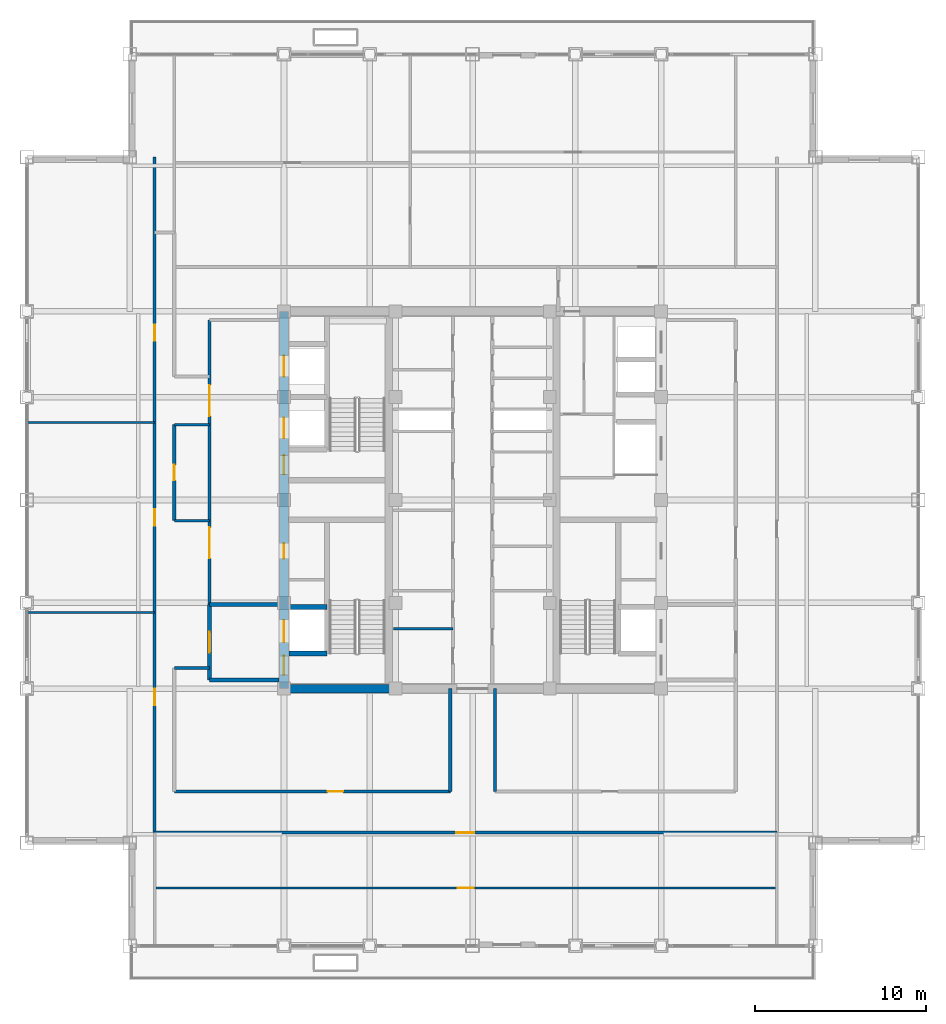
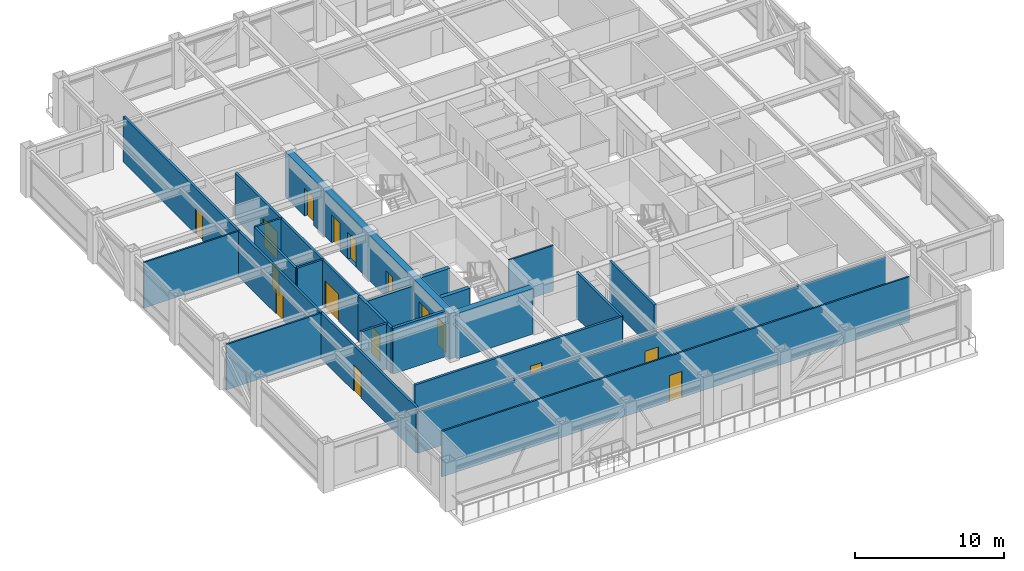
# One storey, part 24 of 30: 21 walls, 16 doors, 16 openings.
"""IFC4 building model written with IfcOpenShell, lengths in metres."""

from ifc_helpers import new_model, si_unit, direction, frame, frame_2d, origin, place, context, subcontext, project, spatial, rectangle, extrude, source, transform, mapped, material, layer, layer_set, type_object, element, fill, save


model = new_model("IFC4")

# Units and contexts
model_context = context("Model", 3, precision=1e-05, world=origin(), true_north=direction((0.0, 1.0)))
body_context = subcontext(model_context, "Body", "Model", "MODEL_VIEW")
ifc_project = project(units=[si_unit("LENGTHUNIT", "METRE"), si_unit("AREAUNIT", "SQUARE_METRE"), si_unit("VOLUMEUNIT", "CUBIC_METRE"), si_unit("PLANEANGLEUNIT", "RADIAN"), si_unit("MASSUNIT", "GRAM", prefix="KILO")], contexts=[model_context])

# Site, building, storey
site_placement = place(None, origin())
site = spatial("IfcSite", under=ifc_project, at=site_placement, CompositionType="ELEMENT")
building_placement = place(site_placement, origin())
building = spatial("IfcBuilding", under=site, at=building_placement, Name="Khorayat Bourse Tower", CompositionType="ELEMENT")
storey_placement = place(building_placement, frame((0.0, 0.0, 326.300048828125)))
storey = spatial("IfcBuildingStorey", under=building, at=storey_placement, Name="L77", CompositionType="ELEMENT", Elevation=326.300048828125)

# Wall, openings, doors
ifc_material_1 = material(Name="Concrete C52/65", Category="concrete")
ifc_layer_1 = layer(ifc_material_1, 0.5)
ifc_layer_set_1 = layer_set([ifc_layer_1], Name="Concrete C52/65")
wall_type_1 = type_object("IfcWallType", Name="WAL-CORE-500", PredefinedType="SHEAR", material=ifc_layer_set_1)
shared_shape_1 = source(origin(), body_context, "Body", "SweptSolid", [
    extrude(rectangle(XDim=22.0, YDim=0.5, at=frame_2d((11.0, 0.0))), origin(), (0.0, 0.0, 1.0), 3.739990234375),
])
wall_1_placement = place(storey_placement, frame((-11.0, -11.0, 0.0), z_axis=(0.0, 0.0, 1.0), x_axis=(0.0, 1.0, 0.0)))
wall_1 = element("IfcWall", 1, at=wall_1_placement, inside=storey, type_object=wall_type_1, Name="L77 Core Shear Wall CORE-W", PredefinedType="SHEAR", context=body_context, shape_type="MappedRepresentation", body=[
    mapped(shared_shape_1, transform((0.0, 0.0, 0.0), scale=1.0)),
])
shared_shape_2 = source(origin(), body_context, "Body", "SweptSolid", [
    extrude(rectangle(XDim=1.10009765625, YDim=2.199951171875, at=frame_2d((0.550048828125, 1.10009765625))), frame((0.0, 0.260009765625, 0.0), z_axis=(0.0, -1.0, 0.0), x_axis=(1.0, 0.0, 0.0)), (0.0, 0.0, 1.0), 0.52001953125),
])
opening_1_placement = place(wall_1_placement, frame((0.800048828125, 0.0, 0.0)))
opening_1 = element("IfcOpeningElement", 2, at=opening_1_placement, cuts=wall_1, Name="Opening DI-01", PredefinedType="OPENING", context=body_context, shape_type="MappedRepresentation", body=[
    mapped(shared_shape_2, transform((0.0, 0.0, 0.0), scale=1.0)),
])
opening_2_placement = place(wall_1_placement, frame((12.5, 0.0, 0.0)))
opening_2 = element("IfcOpeningElement", 3, at=opening_2_placement, cuts=wall_1, Name="Opening DI-01", PredefinedType="OPENING", context=body_context, shape_type="MappedRepresentation", body=[
    mapped(shared_shape_2, transform((0.0, 0.0, 0.0), scale=1.0)),
])
shared_shape_3 = source(origin(), body_context, "Body", "SweptSolid", [
    extrude(rectangle(XDim=0.89990234375, YDim=2.14990234375, at=frame_2d((0.449951171875, 1.074951171875))), frame((0.0, 0.260009765625, 0.0), z_axis=(0.0, -1.0, 0.0), x_axis=(1.0, 0.0, 0.0)), (0.0, 0.0, 1.0), 0.52001953125),
])
opening_3_placement = place(wall_1_placement, frame((7.574951171875, 0.0, 0.0)))
opening_3 = element("IfcOpeningElement", 4, at=opening_3_placement, cuts=wall_1, Name="Opening DI-06", PredefinedType="OPENING", context=body_context, shape_type="MappedRepresentation", body=[
    mapped(shared_shape_3, transform((0.0, 0.0, 0.0), scale=1.0)),
])
shared_shape_4 = source(origin(), body_context, "Body", "SweptSolid", [
    extrude(rectangle(XDim=1.199951171875, YDim=2.300048828125, at=frame_2d((0.60009765625, 1.14990234375))), frame((0.0, 0.260009765625, 0.0), z_axis=(0.0, -1.0, 0.0), x_axis=(1.0, 0.0, 0.0)), (0.0, 0.0, 1.0), 0.52001953125),
])
opening_4_placement = place(wall_1_placement, frame((14.60009765625, 0.0, 0.0)))
opening_4 = element("IfcOpeningElement", 5, at=opening_4_placement, cuts=wall_1, Name="Opening LD-01", PredefinedType="OPENING", context=body_context, shape_type="MappedRepresentation", body=[
    mapped(shared_shape_4, transform((0.0, 0.0, 0.0), scale=1.0)),
])
opening_5_placement = place(wall_1_placement, frame((18.199951171875, 0.0, 0.0)))
opening_5 = element("IfcOpeningElement", 6, at=opening_5_placement, cuts=wall_1, Name="Opening LD-01", PredefinedType="OPENING", context=body_context, shape_type="MappedRepresentation", body=[
    mapped(shared_shape_4, transform((0.0, 0.0, 0.0), scale=1.0)),
])
shared_shape_5 = source(origin(), body_context, "Body", "SweptSolid", [
    extrude(rectangle(XDim=1.300048828125, YDim=2.300048828125, at=frame_2d((0.64990234375, 1.14990234375))), frame((0.0, 0.260009765625, 0.0), z_axis=(0.0, -1.0, 0.0), x_axis=(1.0, 0.0, 0.0)), (0.0, 0.0, 1.0), 0.52001953125),
])
opening_6_placement = place(wall_1_placement, frame((2.699951171875, 0.0, 0.0)))
opening_6 = element("IfcOpeningElement", 7, at=opening_6_placement, cuts=wall_1, Name="Opening LD-02", PredefinedType="OPENING", context=body_context, shape_type="MappedRepresentation", body=[
    mapped(shared_shape_5, transform((0.0, 0.0, 0.0), scale=1.0)),
])
ifc_material_2 = material(Name="Fire-rated steel acoustic leaf", Category="steel")
door_type_1 = type_object("IfcDoorType", Name="DR-INT-STAIR-1100", OperationType="NOTDEFINED", PredefinedType="DOOR", material=ifc_material_2)
shared_shape_6 = source(origin(), body_context, "Body", "SweptSolid", [
    extrude(rectangle(XDim=1.10009765625, YDim=2.199951171875, at=frame_2d((0.550048828125, 1.10009765625))), frame((0.0, 0.02490234375, 0.0), z_axis=(0.0, -1.0, 0.0), x_axis=(1.0, 0.0, 0.0)), (0.0, 0.0, 1.0), 0.050048828125),
])
door_1_placement = place(opening_1_placement, origin())
door_1 = element("IfcDoor", 8, at=door_1_placement, inside=storey, type_object=door_type_1, Name="L77 Exit Stair 1 Door", OperationType="SINGLE_SWING_RIGHT", OverallHeight=2.199951171875, OverallWidth=1.10009765625, PredefinedType="DOOR", context=body_context, shape_type="MappedRepresentation", body=[
    mapped(shared_shape_6, transform((0.0, 0.0, 0.0), scale=1.0)),
])
fill(opening_1, door_1)
door_2_placement = place(opening_2_placement, origin())
door_2 = element("IfcDoor", 9, at=door_2_placement, inside=storey, type_object=door_type_1, Name="L77 Exit Stair 2 Door", OperationType="SINGLE_SWING_RIGHT", OverallHeight=2.199951171875, OverallWidth=1.10009765625, PredefinedType="DOOR", context=body_context, shape_type="MappedRepresentation", body=[
    mapped(shared_shape_6, transform((0.0, 0.0, 0.0), scale=1.0)),
])
fill(opening_2, door_2)
ifc_material_3 = material(Name="Moisture-resistant laminate washroom door")
door_type_2 = type_object("IfcDoorType", Name="DR-INT-WC-900", OperationType="NOTDEFINED", PredefinedType="DOOR", material=ifc_material_3)
shared_shape_7 = source(origin(), body_context, "Body", "SweptSolid", [
    extrude(rectangle(XDim=0.89990234375, YDim=2.14990234375, at=frame_2d((0.449951171875, 1.074951171875))), frame((0.0, 0.02490234375, 0.0), z_axis=(0.0, -1.0, 0.0), x_axis=(1.0, 0.0, 0.0)), (0.0, 0.0, 1.0), 0.050048828125),
])
door_3_placement = place(opening_3_placement, origin())
door_3 = element("IfcDoor", 10, at=door_3_placement, inside=storey, type_object=door_type_2, Name="L77 UPS Switch Plant Room Door", OperationType="SINGLE_SWING_RIGHT", OverallHeight=2.14990234375, OverallWidth=0.89990234375, PredefinedType="DOOR", context=body_context, shape_type="MappedRepresentation", body=[
    mapped(shared_shape_7, transform((0.0, 0.0, 0.0), scale=1.0)),
])
fill(opening_3, door_3)
ifc_material_4 = material(Name="Brushed bronze stainless-steel sliding door", Category="steel")
door_type_3 = type_object("IfcDoorType", Name="DR-LIFT-PASS-1200", OperationType="NOTDEFINED", PredefinedType="DOOR", material=ifc_material_4)
shared_shape_8 = source(origin(), body_context, "Body", "SweptSolid", [
    extrude(rectangle(XDim=1.199951171875, YDim=2.300048828125, at=frame_2d((0.60009765625, 1.14990234375))), frame((0.0, 0.02490234375, 0.0), z_axis=(0.0, -1.0, 0.0), x_axis=(1.0, 0.0, 0.0)), (0.0, 0.0, 1.0), 0.050048828125),
])
door_4_placement = place(opening_4_placement, origin())
door_4 = element("IfcDoor", 11, at=door_4_placement, inside=storey, type_object=door_type_3, Name="L77 Lift PL-H1 Sliding Landing Door", OperationType="SLIDING_TO_LEFT", OverallHeight=2.300048828125, OverallWidth=1.199951171875, PredefinedType="DOOR", context=body_context, shape_type="MappedRepresentation", body=[
    mapped(shared_shape_8, transform((0.0, 0.0, 0.0), scale=1.0)),
])
fill(opening_4, door_4)
door_5_placement = place(opening_5_placement, origin())
door_5 = element("IfcDoor", 12, at=door_5_placement, inside=storey, type_object=door_type_3, Name="L77 Lift PL-H2 Sliding Landing Door", OperationType="SLIDING_TO_LEFT", OverallHeight=2.300048828125, OverallWidth=1.199951171875, PredefinedType="DOOR", context=body_context, shape_type="MappedRepresentation", body=[
    mapped(shared_shape_8, transform((0.0, 0.0, 0.0), scale=1.0)),
])
fill(opening_5, door_5)
ifc_material_5 = material(Name="Fire-rated stainless-steel sliding landing door", Category="steel")
door_type_4 = type_object("IfcDoorType", Name="DR-LIFT-FF-1300", OperationType="NOTDEFINED", PredefinedType="DOOR", material=ifc_material_5)
shared_shape_9 = source(origin(), body_context, "Body", "SweptSolid", [
    extrude(rectangle(XDim=1.300048828125, YDim=2.300048828125, at=frame_2d((0.64990234375, 1.14990234375))), frame((0.0, 0.02490234375, 0.0), z_axis=(0.0, -1.0, 0.0), x_axis=(1.0, 0.0, 0.0)), (0.0, 0.0, 1.0), 0.050048828125),
])
door_6_placement = place(opening_6_placement, origin())
door_6 = element("IfcDoor", 13, at=door_6_placement, inside=storey, type_object=door_type_4, Name="L77 Lift FFL-01 Sliding Landing Door", OperationType="SLIDING_TO_LEFT", OverallHeight=2.300048828125, OverallWidth=1.300048828125, PredefinedType="DOOR", context=body_context, shape_type="MappedRepresentation", body=[
    mapped(shared_shape_9, transform((0.0, 0.0, 0.0), scale=1.0)),
])
fill(opening_6, door_6)

# Walls
shared_shape_10 = source(origin(), body_context, "Body", "SweptSolid", [
    extrude(rectangle(XDim=5.89990234375, YDim=0.5, at=frame_2d((2.949951171875, 0.0))), origin(), (0.0, 0.0, 1.0), 3.739990234375),
])
wall_2_placement = place(storey_placement, frame((-10.75, -11.0, 0.0), z_axis=(0.0, 0.0, 1.0), x_axis=(1.0, 0.0, 0.0)))
element("IfcWall", 14, at=wall_2_placement, inside=storey, type_object=wall_type_1, Name="L77 Core Shear Wall PIER-WS", PredefinedType="SHEAR", context=body_context, shape_type="MappedRepresentation", body=[
    mapped(shared_shape_10, transform((0.0, 0.0, 0.0), scale=1.0)),
])
ifc_material_6 = material(Name="Concrete C50/60", Category="concrete")
ifc_layer_2 = layer(ifc_material_6, 0.300048828125)
ifc_layer_set_2 = layer_set([ifc_layer_2], Name="Concrete C50/60")
wall_type_2 = type_object("IfcWallType", Name="WAL-SHAFT-300", PredefinedType="SHEAR", material=ifc_layer_set_2)
shared_shape_11 = source(origin(), body_context, "Body", "SweptSolid", [
    extrude(rectangle(XDim=2.199951171875, YDim=0.300048828125, at=frame_2d((1.10009765625, 0.0))), origin(), (0.0, 0.0, 1.0), 3.739990234375),
])
for number, where, z_axis, x_axis, name in (
    (15, (-10.699951171875, -8.949951171875, 0.0), (0.0, 0.0, 1.0), (1.0, 0.0, 0.0), "L77 Partition WAL-L77-WPIER-FF1S"),
    (16, (-10.699951171875, -6.25, 0.0), (0.0, 0.0, 1.0), (1.0, 0.0, 0.0), "L77 Partition WAL-L77-WPIER-FF1N"),
):
    element("IfcWall", number, at=place(storey_placement, frame(where, z_axis=z_axis, x_axis=x_axis)), inside=storey, type_object=wall_type_2, Name=name, PredefinedType="SHEAR", context=body_context, shape_type="MappedRepresentation", body=[
        mapped(shared_shape_11, transform((0.0, 0.0, 0.0), scale=1.0)),
    ])
ifc_material_7 = material(Name="Aerated concrete blockwork", Category="masonry")
ifc_layer_3 = layer(ifc_material_7, 0.219970703125)
ifc_layer_set_3 = layer_set([ifc_layer_3], Name="Aerated concrete blockwork")
wall_type_3 = type_object("IfcWallType", Name="WAL-PART-FF-220", PredefinedType="PARTITIONING", material=ifc_layer_set_3)
shared_shape_12 = source(origin(), body_context, "Body", "SweptSolid", [
    extrude(rectangle(XDim=4.050048828125, YDim=0.219970703125, at=frame_2d((2.02490234375, 0.0))), origin(), (0.0, 0.0, 1.0), 3.739990234375),
])
wall_3_placement = place(storey_placement, frame((-15.35009765625, -10.5, 0.0), z_axis=(0.0, 0.0, 1.0), x_axis=(1.0, 0.0, 0.0)))
element("IfcWall", 17, at=wall_3_placement, inside=storey, type_object=wall_type_3, Name="L77 Partition WAL-L77-FFLW-S", PredefinedType="PARTITIONING", context=body_context, shape_type="MappedRepresentation", body=[
    mapped(shared_shape_12, transform((0.0, 0.0, 0.0), scale=1.0)),
])
shared_shape_13 = source(origin(), body_context, "Body", "SweptSolid", [
    extrude(rectangle(XDim=4.050048828125, YDim=0.219970703125, at=frame_2d((2.02490234375, 0.0))), origin(), (0.0, 0.0, 1.0), 3.1240234375),
])
wall_4_placement = place(storey_placement, frame((-15.35009765625, -6.10009765625, 0.0), z_axis=(0.0, 0.0, 1.0), x_axis=(1.0, 0.0, 0.0)))
element("IfcWall", 18, at=wall_4_placement, inside=storey, type_object=wall_type_3, Name="L77 Partition WAL-L77-FFLW-N", PredefinedType="PARTITIONING", context=body_context, shape_type="MappedRepresentation", body=[
    mapped(shared_shape_13, transform((0.0, 0.0, 0.0), scale=1.0)),
])

# Wall, opening, door
shared_shape_14 = source(origin(), body_context, "Body", "SweptSolid", [
    extrude(rectangle(XDim=4.39990234375, YDim=0.219970703125, at=frame_2d((2.199951171875, 0.0))), origin(), (0.0, 0.0, 1.0), 3.739990234375),
])
wall_5_placement = place(storey_placement, frame((-15.35009765625, -10.5, 0.0), z_axis=(0.0, 0.0, 1.0), x_axis=(0.0, 1.0, 0.0)))
wall_5 = element("IfcWall", 19, at=wall_5_placement, inside=storey, type_object=wall_type_3, Name="L77 Partition WAL-L77-FFLW-W", PredefinedType="PARTITIONING", context=body_context, shape_type="MappedRepresentation", body=[
    mapped(shared_shape_14, transform((0.0, 0.0, 0.0), scale=1.0)),
])
shared_shape_15 = source(origin(), body_context, "Body", "SweptSolid", [
    extrude(rectangle(XDim=1.199951171875, YDim=2.199951171875, at=frame_2d((0.60009765625, 1.10009765625))), frame((0.0, 0.119873046875, 0.0), z_axis=(0.0, -1.0, 0.0), x_axis=(1.0, 0.0, 0.0)), (0.0, 0.0, 1.0), 0.239990234375),
])
opening_7_placement = place(wall_5_placement, frame((1.60009765625, 0.0, 0.0)))
opening_7 = element("IfcOpeningElement", 20, at=opening_7_placement, cuts=wall_5, Name="Opening DI-02", PredefinedType="OPENING", context=body_context, shape_type="MappedRepresentation", body=[
    mapped(shared_shape_15, transform((0.0, 0.0, 0.0), scale=1.0)),
])
ifc_material_8 = material(Name="Fire-rated steel double-seal leaf", Category="steel")
door_type_5 = type_object("IfcDoorType", Name="DR-INT-FFLOBBY-1200", OperationType="NOTDEFINED", PredefinedType="DOOR", material=ifc_material_8)
shared_shape_16 = source(origin(), body_context, "Body", "SweptSolid", [
    extrude(rectangle(XDim=1.199951171875, YDim=2.199951171875, at=frame_2d((0.60009765625, 1.10009765625))), frame((0.0, 0.02490234375, 0.0), z_axis=(0.0, -1.0, 0.0), x_axis=(1.0, 0.0, 0.0)), (0.0, 0.0, 1.0), 0.050048828125),
])
door_7_placement = place(opening_7_placement, origin())
door_7 = element("IfcDoor", 21, at=door_7_placement, inside=storey, type_object=door_type_5, Name="L77 West Firefighting Lobby Door", OperationType="SINGLE_SWING_LEFT", OverallHeight=2.199951171875, OverallWidth=1.199951171875, PredefinedType="DOOR", context=body_context, shape_type="MappedRepresentation", body=[
    mapped(shared_shape_16, transform((0.0, 0.0, 0.0), scale=1.0)),
])
fill(opening_7, door_7)

# Wall, openings, doors
ifc_material_9 = material(Name="Gypsum plasterboard acoustic stud wall")
ifc_layer_4 = layer(ifc_material_9, 0.179931640625)
ifc_layer_set_4 = layer_set([ifc_layer_4], Name="Gypsum plasterboard acoustic stud wall")
wall_type_4 = type_object("IfcWallType", Name="WAL-PART-CORR-180", PredefinedType="PARTITIONING", material=ifc_layer_set_4)
shared_shape_17 = source(origin(), body_context, "Body", "SweptSolid", [
    extrude(rectangle(XDim=16.60009765625, YDim=0.179931640625, at=frame_2d((8.300048828125, 0.0))), origin(), (0.0, 0.0, 1.0), 3.739990234375),
])
wall_6_placement = place(storey_placement, frame((-15.35009765625, -6.10009765625, 0.0), z_axis=(0.0, 0.0, 1.0), x_axis=(0.0, 1.0, 0.0)))
wall_6 = element("IfcWall", 22, at=wall_6_placement, inside=storey, type_object=wall_type_4, Name="L77 Partition WAL-L77-WLOB-W", PredefinedType="PARTITIONING", context=body_context, shape_type="MappedRepresentation", body=[
    mapped(shared_shape_17, transform((0.0, 0.0, 0.0), scale=1.0)),
])
shared_shape_18 = source(origin(), body_context, "Body", "SweptSolid", [
    extrude(rectangle(XDim=1.800048828125, YDim=2.25, at=frame_2d((0.89990234375, 1.125))), frame((0.0, 0.099853515625, 0.0), z_axis=(0.0, -1.0, 0.0), x_axis=(1.0, 0.0, 0.0)), (0.0, 0.0, 1.0), 0.199951171875),
])
opening_8_placement = place(wall_6_placement, frame((2.699951171875, 0.0, 0.0)))
opening_8 = element("IfcOpeningElement", 23, at=opening_8_placement, cuts=wall_6, Name="Opening DI-03", PredefinedType="OPENING", context=body_context, shape_type="MappedRepresentation", body=[
    mapped(shared_shape_18, transform((0.0, 0.0, 0.0), scale=1.0)),
])
opening_9_placement = place(wall_6_placement, frame((11.0, 0.0, 0.0)))
opening_9 = element("IfcOpeningElement", 24, at=opening_9_placement, cuts=wall_6, Name="Opening DI-03", PredefinedType="OPENING", context=body_context, shape_type="MappedRepresentation", body=[
    mapped(shared_shape_18, transform((0.0, 0.0, 0.0), scale=1.0)),
])
ifc_material_10 = material(Name="Fire-rated hardwood vision-panel double leaf", Category="wood")
door_type_6 = type_object("IfcDoorType", Name="DR-INT-CORR-1800", OperationType="NOTDEFINED", PredefinedType="DOOR", material=ifc_material_10)
shared_shape_19 = source(origin(), body_context, "Body", "SweptSolid", [
    extrude(rectangle(XDim=1.800048828125, YDim=2.25, at=frame_2d((0.89990234375, 1.125))), frame((0.0, 0.02490234375, 0.0), z_axis=(0.0, -1.0, 0.0), x_axis=(1.0, 0.0, 0.0)), (0.0, 0.0, 1.0), 0.050048828125),
])
door_8_placement = place(opening_8_placement, origin())
door_8 = element("IfcDoor", 25, at=door_8_placement, inside=storey, type_object=door_type_6, Name="L77 West Core Lobby South Door", OperationType="SINGLE_SWING_LEFT", OverallHeight=2.25, OverallWidth=1.800048828125, PredefinedType="DOOR", context=body_context, shape_type="MappedRepresentation", body=[
    mapped(shared_shape_19, transform((0.0, 0.0, 0.0), scale=1.0)),
])
fill(opening_8, door_8)
door_9_placement = place(opening_9_placement, origin())
door_9 = element("IfcDoor", 26, at=door_9_placement, inside=storey, type_object=door_type_6, Name="L77 West Core Lobby North Door", OperationType="SINGLE_SWING_RIGHT", OverallHeight=2.25, OverallWidth=1.800048828125, PredefinedType="DOOR", context=body_context, shape_type="MappedRepresentation", body=[
    mapped(shared_shape_19, transform((0.0, 0.0, 0.0), scale=1.0)),
])
fill(opening_9, door_9)

# Wall
ifc_material_11 = material(Name="Moisture-resistant masonry partition", Category="masonry")
ifc_layer_5 = layer(ifc_material_11, 0.139892578125)
ifc_layer_set_5 = layer_set([ifc_layer_5], Name="Moisture-resistant masonry partition")
wall_type_5 = type_object("IfcWallType", Name="WAL-PART-WET-140", PredefinedType="PARTITIONING", material=ifc_layer_set_5)
shared_shape_20 = source(origin(), body_context, "Body", "SweptSolid", [
    extrude(rectangle(XDim=3.4501953125, YDim=0.139892578125, at=frame_2d((1.72509765625, 0.0))), origin(), (0.0, 0.0, 1.0), 3.739990234375),
])
wall_7_placement = place(storey_placement, frame((-4.60009765625, -7.5, 0.0), z_axis=(0.0, 0.0, 1.0), x_axis=(1.0, 0.0, 0.0)))
element("IfcWall", 27, at=wall_7_placement, inside=storey, type_object=wall_type_5, Name="L77 Partition WAL-L77-FB1W-D1", PredefinedType="PARTITIONING", context=body_context, shape_type="MappedRepresentation", body=[
    mapped(shared_shape_20, transform((0.0, 0.0, 0.0), scale=1.0)),
])

# Wall, opening, door
shared_shape_21 = source(origin(), body_context, "Body", "SweptSolid", [
    extrude(rectangle(XDim=5.599853515625, YDim=0.179931640625, at=frame_2d((2.7998046875, 0.0))), origin(), (0.0, 0.0, 1.0), 3.739990234375),
])
wall_8_placement = place(storey_placement, frame((-17.39990234375, -1.199951171875, 0.0), z_axis=(0.0, 0.0, 1.0), x_axis=(0.0, 1.0, 0.0)))
wall_8 = element("IfcWall", 28, at=wall_8_placement, inside=storey, type_object=wall_type_4, Name="L77 Partition WAL-L77-PKWM-W", PredefinedType="PARTITIONING", context=body_context, shape_type="MappedRepresentation", body=[
    mapped(shared_shape_21, transform((0.0, 0.0, 0.0), scale=1.0)),
])
shared_shape_22 = source(origin(), body_context, "Body", "SweptSolid", [
    extrude(rectangle(XDim=0.89990234375, YDim=2.14990234375, at=frame_2d((0.449951171875, 1.074951171875))), frame((0.0, 0.099853515625, 0.0), z_axis=(0.0, -1.0, 0.0), x_axis=(1.0, 0.0, 0.0)), (0.0, 0.0, 1.0), 0.199951171875),
])
opening_10_placement = place(wall_8_placement, frame((2.35009765625, 0.0, 0.0)))
opening_10 = element("IfcOpeningElement", 29, at=opening_10_placement, cuts=wall_8, Name="Opening DI-06", PredefinedType="OPENING", context=body_context, shape_type="MappedRepresentation", body=[
    mapped(shared_shape_22, transform((0.0, 0.0, 0.0), scale=1.0)),
])
door_10_placement = place(opening_10_placement, origin())
door_10 = element("IfcDoor", 30, at=door_10_placement, inside=storey, type_object=door_type_2, Name="L77 West Inboard Focus Door", OperationType="SINGLE_SWING_LEFT", OverallHeight=2.14990234375, OverallWidth=0.89990234375, PredefinedType="DOOR", context=body_context, shape_type="MappedRepresentation", body=[
    mapped(shared_shape_7, transform((0.0, 0.0, 0.0), scale=1.0)),
])
fill(opening_10, door_10)

# Walls
ifc_material_12 = material(Name="Gypsum plasterboard twin-frame partition")
ifc_layer_6 = layer(ifc_material_12, 0.14990234375)
ifc_layer_set_6 = layer_set([ifc_layer_6], Name="Gypsum plasterboard twin-frame partition")
wall_type_6 = type_object("IfcWallType", Name="WAL-PART-SUITE-150", PredefinedType="PARTITIONING", material=ifc_layer_set_6)
shared_shape_23 = source(origin(), body_context, "Body", "SweptSolid", [
    extrude(rectangle(XDim=2.0498046875, YDim=0.14990234375, at=frame_2d((1.02490234375, 0.0))), origin(), (0.0, 0.0, 1.0), 3.739990234375),
])
for number, where, z_axis, x_axis, name in (
    (31, (-17.39990234375, -1.199951171875, 0.0), (0.0, 0.0, 1.0), (1.0, 0.0, 0.0), "L77 Partition WAL-L77-PKWM-S"),
    (32, (-17.39990234375, 4.39990234375, 0.0), (0.0, 0.0, 1.0), (1.0, 0.0, 0.0), "L77 Partition WAL-L77-PKWM-N"),
):
    element("IfcWall", number, at=place(storey_placement, frame(where, z_axis=z_axis, x_axis=x_axis)), inside=storey, type_object=wall_type_6, Name=name, PredefinedType="PARTITIONING", context=body_context, shape_type="MappedRepresentation", body=[
        mapped(shared_shape_23, transform((0.0, 0.0, 0.0), scale=1.0)),
    ])
shared_shape_24 = source(origin(), body_context, "Body", "SweptSolid", [
    extrude(rectangle(XDim=2.0498046875, YDim=0.179931640625, at=frame_2d((1.02490234375, 0.0))), origin(), (0.0, 0.0, 1.0), 3.739990234375),
])
wall_9_placement = place(storey_placement, frame((-17.39990234375, -9.800048828125, 0.0), z_axis=(0.0, 0.0, 1.0), x_axis=(1.0, 0.0, 0.0)))
element("IfcWall", 33, at=wall_9_placement, inside=storey, type_object=wall_type_4, Name="L77 Partition WAL-L77-THRW-S", PredefinedType="PARTITIONING", context=body_context, shape_type="MappedRepresentation", body=[
    mapped(shared_shape_24, transform((0.0, 0.0, 0.0), scale=1.0)),
])

# Wall, opening, door
shared_shape_25 = source(origin(), body_context, "Body", "SweptSolid", [
    extrude(rectangle(XDim=16.099853515625, YDim=0.179931640625, at=frame_2d((8.0498046875, 0.0))), origin(), (0.0, 0.0, 1.0), 3.739990234375),
])
wall_10_placement = place(storey_placement, frame((-17.39990234375, -17.0, 0.0), z_axis=(0.0, 0.0, 1.0), x_axis=(1.0, 0.0, 0.0)))
wall_10 = element("IfcWall", 34, at=wall_10_placement, inside=storey, type_object=wall_type_4, Name="L77 Partition WAL-L77-PKSW-S", PredefinedType="PARTITIONING", context=body_context, shape_type="MappedRepresentation", body=[
    mapped(shared_shape_25, transform((0.0, 0.0, 0.0), scale=1.0)),
])
opening_11_placement = place(wall_10_placement, frame((8.949951171875, 0.0, 0.0)))
opening_11 = element("IfcOpeningElement", 35, at=opening_11_placement, cuts=wall_10, Name="Opening DI-06", PredefinedType="OPENING", context=body_context, shape_type="MappedRepresentation", body=[
    mapped(shared_shape_22, transform((0.0, 0.0, 0.0), scale=1.0)),
])
door_11_placement = place(opening_11_placement, origin())
door_11 = element("IfcDoor", 36, at=door_11_placement, inside=storey, type_object=door_type_2, Name="L77 SW Inboard Pantry Door", OperationType="SINGLE_SWING_LEFT", OverallHeight=2.14990234375, OverallWidth=0.89990234375, PredefinedType="DOOR", context=body_context, shape_type="MappedRepresentation", body=[
    mapped(shared_shape_7, transform((0.0, 0.0, 0.0), scale=1.0)),
])
fill(opening_11, door_11)

# Walls
shared_shape_26 = source(origin(), body_context, "Body", "SweptSolid", [
    extrude(rectangle(XDim=6.0, YDim=0.179931640625, at=frame_2d((3.0, 0.0))), origin(), (0.0, 0.0, 1.0), 3.739990234375),
])
for number, where, z_axis, x_axis, name in (
    (37, (-1.300048828125, -17.0, 0.0), (0.0, 0.0, 1.0), (0.0, 1.0, 0.0), "L77 Partition WAL-L77-PKSW-E"),
    (38, (1.300048828125, -17.0, 0.0), (0.0, 0.0, 1.0), (0.0, 1.0, 0.0), "L77 Partition WAL-L77-PKSE-W"),
):
    element("IfcWall", number, at=place(storey_placement, frame(where, z_axis=z_axis, x_axis=x_axis)), inside=storey, type_object=wall_type_4, Name=name, PredefinedType="PARTITIONING", context=body_context, shape_type="MappedRepresentation", body=[
        mapped(shared_shape_26, transform((0.0, 0.0, 0.0), scale=1.0)),
    ])

# Wall, opening, door
ifc_material_13 = material(Name="Gypsum plasterboard partition")
ifc_layer_7 = layer(ifc_material_13, 0.125)
ifc_layer_set_7 = layer_set([ifc_layer_7], Name="Gypsum plasterboard partition")
wall_type_7 = type_object("IfcWallType", Name="WAL-PART-ROOM-125", PredefinedType="PARTITIONING", material=ifc_layer_set_7)
shared_shape_27 = source(origin(), body_context, "Body", "SweptSolid", [
    extrude(rectangle(XDim=36.300048828125, YDim=0.125, at=frame_2d((18.14990234375, 0.0))), origin(), (0.0, 0.0, 1.0), 3.739990234375),
])
wall_11_placement = place(storey_placement, frame((-18.550048828125, -22.634033203125, 0.0), z_axis=(0.0, 0.0, 1.0), x_axis=(1.0, 0.0, 0.0)))
wall_11 = element("IfcWall", 39, at=wall_11_placement, inside=storey, type_object=wall_type_7, Name="L77 Partition WAL-L77-SDP-1", PredefinedType="PARTITIONING", context=body_context, shape_type="MappedRepresentation", body=[
    mapped(shared_shape_27, transform((0.0, 0.0, 0.0), scale=1.0)),
])
shared_shape_28 = source(origin(), body_context, "Body", "SweptSolid", [
    extrude(rectangle(XDim=0.949951171875, YDim=2.14990234375, at=frame_2d((0.47509765625, 1.074951171875))), frame((0.0, 0.072509765625, 0.0), z_axis=(0.0, -1.0, 0.0), x_axis=(1.0, 0.0, 0.0)), (0.0, 0.0, 1.0), 0.14501953125),
])
opening_12_placement = place(wall_11_placement, frame((17.675048828125, 0.0, 0.0)))
opening_12 = element("IfcOpeningElement", 40, at=opening_12_placement, cuts=wall_11, Name="Opening DI-05", PredefinedType="OPENING", context=body_context, shape_type="MappedRepresentation", body=[
    mapped(shared_shape_28, transform((0.0, 0.0, 0.0), scale=1.0)),
])
ifc_material_14 = material(Name="Acoustic oak veneer office door")
door_type_7 = type_object("IfcDoorType", Name="DR-INT-OFFICE-950", OperationType="NOTDEFINED", PredefinedType="DOOR", material=ifc_material_14)
shared_shape_29 = source(origin(), body_context, "Body", "SweptSolid", [
    extrude(rectangle(XDim=0.949951171875, YDim=2.14990234375, at=frame_2d((0.47509765625, 1.074951171875))), frame((0.0, 0.02490234375, 0.0), z_axis=(0.0, -1.0, 0.0), x_axis=(1.0, 0.0, 0.0)), (0.0, 0.0, 1.0), 0.050048828125),
])
door_12_placement = place(opening_12_placement, origin())
door_12 = element("IfcDoor", 41, at=door_12_placement, inside=storey, type_object=door_type_7, Name="L77 Quantitative Research Study S1B Door", OperationType="SINGLE_SWING_RIGHT", OverallHeight=2.14990234375, OverallWidth=0.949951171875, PredefinedType="DOOR", context=body_context, shape_type="MappedRepresentation", body=[
    mapped(shared_shape_29, transform((0.0, 0.0, 0.0), scale=1.0)),
])
fill(opening_12, door_12)

shared_shape_30 = source(origin(), body_context, "Body", "SweptSolid", [
    extrude(rectangle(XDim=36.300048828125, YDim=0.179931640625, at=frame_2d((18.14990234375, 0.0))), origin(), (0.0, 0.0, 1.0), 3.39306640625),
])
wall_12_placement = place(storey_placement, frame((-18.550048828125, -19.39990234375, 0.0), z_axis=(0.0, 0.0, 1.0), x_axis=(1.0, 0.0, 0.0)))
wall_12 = element("IfcWall", 42, at=wall_12_placement, inside=storey, type_object=wall_type_4, Name="L77 Partition WAL-L77-SCORR", PredefinedType="PARTITIONING", context=body_context, shape_type="MappedRepresentation", body=[
    mapped(shared_shape_30, transform((0.0, 0.0, 0.0), scale=1.0)),
])
shared_shape_31 = source(origin(), body_context, "Body", "SweptSolid", [
    extrude(rectangle(XDim=1.050048828125, YDim=2.199951171875, at=frame_2d((0.52490234375, 1.10009765625))), frame((0.0, 0.099853515625, 0.0), z_axis=(0.0, -1.0, 0.0), x_axis=(1.0, 0.0, 0.0)), (0.0, 0.0, 1.0), 0.199951171875),
])
opening_13_placement = place(wall_12_placement, frame((17.60009765625, 0.0, 0.0)))
opening_13 = element("IfcOpeningElement", 43, at=opening_13_placement, cuts=wall_12, Name="Opening DI-04", PredefinedType="OPENING", context=body_context, shape_type="MappedRepresentation", body=[
    mapped(shared_shape_31, transform((0.0, 0.0, 0.0), scale=1.0)),
])
ifc_material_15 = material(Name="Fire-rated oak veneer suite entrance door")
door_type_8 = type_object("IfcDoorType", Name="DR-INT-SUITE-1050", OperationType="NOTDEFINED", PredefinedType="DOOR", material=ifc_material_15)
shared_shape_32 = source(origin(), body_context, "Body", "SweptSolid", [
    extrude(rectangle(XDim=1.050048828125, YDim=2.199951171875, at=frame_2d((0.52490234375, 1.10009765625))), frame((0.0, 0.02490234375, 0.0), z_axis=(0.0, -1.0, 0.0), x_axis=(1.0, 0.0, 0.0)), (0.0, 0.0, 1.0), 0.050048828125),
])
door_13_placement = place(opening_13_placement, origin())
door_13 = element("IfcDoor", 44, at=door_13_placement, inside=storey, type_object=door_type_8, Name="L77 South Sky Terrace Lounge S1 Door", OperationType="SINGLE_SWING_RIGHT", OverallHeight=2.199951171875, OverallWidth=1.050048828125, PredefinedType="DOOR", context=body_context, shape_type="MappedRepresentation", body=[
    mapped(shared_shape_32, transform((0.0, 0.0, 0.0), scale=1.0)),
])
fill(opening_13, door_13)

# Walls
shared_shape_33 = source(origin(), body_context, "Body", "SweptSolid", [
    extrude(rectangle(XDim=7.449951171875, YDim=0.125, at=frame_2d((3.72509765625, 0.0))), origin(), (0.0, 0.0, 1.0), 3.739990234375),
])
for number, where, z_axis, x_axis, name in (
    (45, (-26.0, -6.568115234375, 0.0), (0.0, 0.0, 1.0), (1.0, 0.0, 0.0), "L77 Partition WAL-L77-WDV-1"),
    (46, (-26.0, 4.51611328125, 0.0), (0.0, 0.0, 1.0), (1.0, 0.0, 0.0), "L77 Partition WAL-L77-WDV-2"),
):
    element("IfcWall", number, at=place(storey_placement, frame(where, z_axis=z_axis, x_axis=x_axis)), inside=storey, type_object=wall_type_7, Name=name, PredefinedType="PARTITIONING", context=body_context, shape_type="MappedRepresentation", body=[
        mapped(shared_shape_33, transform((0.0, 0.0, 0.0), scale=1.0)),
    ])

# Wall, openings, doors
shared_shape_34 = source(origin(), body_context, "Body", "SweptSolid", [
    extrude(rectangle(XDim=39.39990234375, YDim=0.179931640625, at=frame_2d((19.699951171875, 0.0))), origin(), (0.0, 0.0, 1.0), 3.739990234375),
])
wall_13_placement = place(storey_placement, frame((-18.550048828125, -19.39990234375, 0.0), z_axis=(0.0, 0.0, 1.0), x_axis=(0.0, 1.0, 0.0)))
wall_13 = element("IfcWall", 47, at=wall_13_placement, inside=storey, type_object=wall_type_4, Name="L77 Partition WAL-L77-WCORR", PredefinedType="PARTITIONING", context=body_context, shape_type="MappedRepresentation", body=[
    mapped(shared_shape_34, transform((0.0, 0.0, 0.0), scale=1.0)),
])
shared_shape_35 = source(origin(), body_context, "Body", "SweptSolid", [
    extrude(rectangle(XDim=0.949951171875, YDim=2.14990234375, at=frame_2d((0.47509765625, 1.074951171875))), frame((0.0, 0.099853515625, 0.0), z_axis=(0.0, -1.0, 0.0), x_axis=(1.0, 0.0, 0.0)), (0.0, 0.0, 1.0), 0.199951171875),
])
opening_14_placement = place(wall_13_placement, frame((7.44091796875, 0.0, 0.0)))
opening_14 = element("IfcOpeningElement", 48, at=opening_14_placement, cuts=wall_13, Name="Opening DI-05", PredefinedType="OPENING", context=body_context, shape_type="MappedRepresentation", body=[
    mapped(shared_shape_35, transform((0.0, 0.0, 0.0), scale=1.0)),
])
opening_15_placement = place(wall_13_placement, frame((17.89892578125, 0.0, 0.0)))
opening_15 = element("IfcOpeningElement", 49, at=opening_15_placement, cuts=wall_13, Name="Opening DI-05", PredefinedType="OPENING", context=body_context, shape_type="MappedRepresentation", body=[
    mapped(shared_shape_35, transform((0.0, 0.0, 0.0), scale=1.0)),
])
opening_16_placement = place(wall_13_placement, frame((28.68310546875, 0.0, 0.0)))
opening_16 = element("IfcOpeningElement", 50, at=opening_16_placement, cuts=wall_13, Name="Opening DI-05", PredefinedType="OPENING", context=body_context, shape_type="MappedRepresentation", body=[
    mapped(shared_shape_35, transform((0.0, 0.0, 0.0), scale=1.0)),
])
door_14_placement = place(opening_14_placement, origin())
door_14 = element("IfcDoor", 51, at=door_14_placement, inside=storey, type_object=door_type_7, Name="L77 Occupational First Aid Clinic W1 Door", OperationType="SINGLE_SWING_RIGHT", OverallHeight=2.14990234375, OverallWidth=0.949951171875, PredefinedType="DOOR", context=body_context, shape_type="MappedRepresentation", body=[
    mapped(shared_shape_29, transform((0.0, 0.0, 0.0), scale=1.0)),
])
fill(opening_14, door_14)
door_15_placement = place(opening_15_placement, origin())
door_15 = element("IfcDoor", 52, at=door_15_placement, inside=storey, type_object=door_type_7, Name="L77 Staff Tea Pantry W2 Door", OperationType="SINGLE_SWING_LEFT", OverallHeight=2.14990234375, OverallWidth=0.949951171875, PredefinedType="DOOR", context=body_context, shape_type="MappedRepresentation", body=[
    mapped(shared_shape_29, transform((0.0, 0.0, 0.0), scale=1.0)),
])
fill(opening_15, door_15)
door_16_placement = place(opening_16_placement, origin())
door_16 = element("IfcDoor", 53, at=door_16_placement, inside=storey, type_object=door_type_7, Name="L77 Public Washrooms and Restrooms W3 Door", OperationType="SINGLE_SWING_RIGHT", OverallHeight=2.14990234375, OverallWidth=0.949951171875, PredefinedType="DOOR", context=body_context, shape_type="MappedRepresentation", body=[
    mapped(shared_shape_29, transform((0.0, 0.0, 0.0), scale=1.0)),
])
fill(opening_16, door_16)

save(model, "model.ifc")
